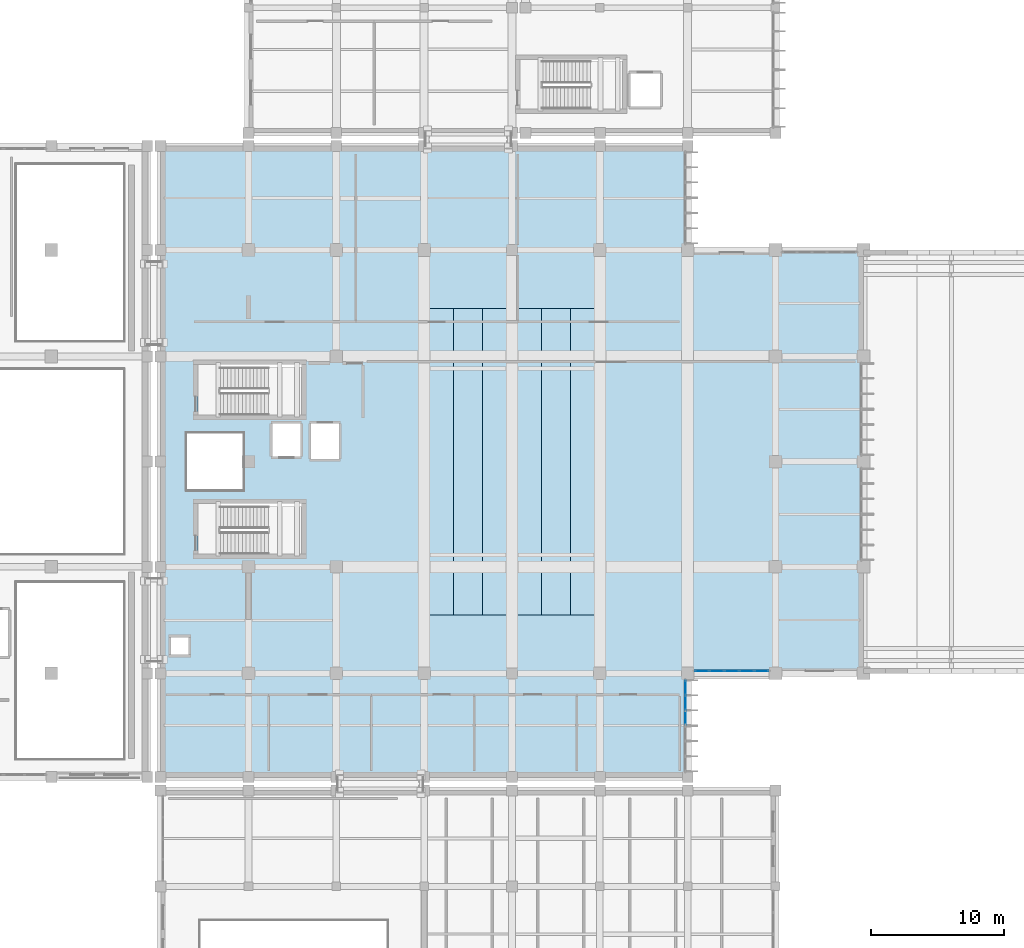
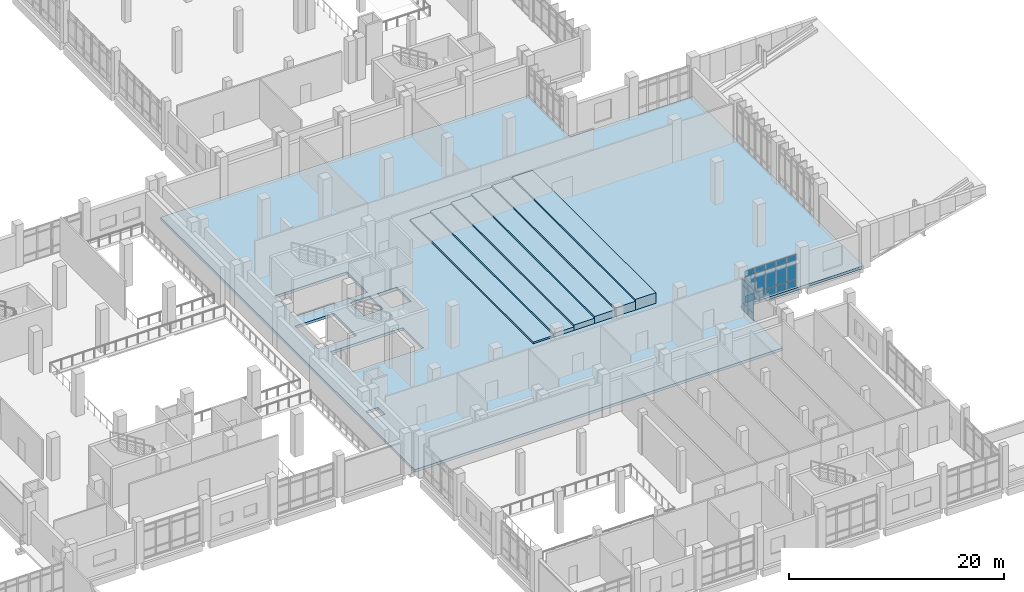
# One storey, part 53 of 90: 22 plates, 7 slabs, 2 elements without a shape of their own.
"""IFC4 building model written with IfcOpenShell, lengths in metres."""

from ifc_helpers import new_model, si_unit, direction, frame, origin, origin_2d, place, context, subcontext, project, spatial, polyline, rectangle, outline, extrude, material, layer, layer_set, type_object, element, aggregate, save


model = new_model("IFC4")

# Units and contexts
model_context = context("Model", 3, precision=1e-05, world=origin(), true_north=direction((0.0, 1.0)))
body_context = subcontext(model_context, "Body", "Model", "MODEL_VIEW")
ifc_project = project(units=[si_unit("LENGTHUNIT", "METRE"), si_unit("AREAUNIT", "SQUARE_METRE"), si_unit("VOLUMEUNIT", "CUBIC_METRE"), si_unit("PLANEANGLEUNIT", "RADIAN"), si_unit("MASSUNIT", "GRAM", prefix="KILO")], contexts=[model_context])

# Site, building, storey
site_placement = place(None, origin())
site = spatial("IfcSite", under=ifc_project, at=site_placement, CompositionType="ELEMENT")
building_placement = place(site_placement, origin())
building = spatial("IfcBuilding", under=site, at=building_placement, Name="Kelarvand Opera House", CompositionType="ELEMENT")
storey_placement = place(building_placement, frame((0.0, 0.0, 5.39990234375)))
storey = spatial("IfcBuildingStorey", under=building, at=storey_placement, Name="L01", CompositionType="ELEMENT", Elevation=5.39990234375)

# Curtain wall, plates
ifc_material_1 = material(Name="Thermally broken aluminium and low-E glazing", Category="aluminium")
ifc_layer_1 = layer(ifc_material_1, 0.219970703125, Name="Thermally broken aluminium and low-E glazing", Category="aluminium")
ifc_layer_set_1 = layer_set([ifc_layer_1], Name="Thermally broken aluminium and low-E glazing")
curtain_wall_type_1 = type_object("IfcCurtainWallType", Name="Unitised Low-E Curtain Wall 5630x3780 Mod 1150 CWF-03", PredefinedType="USERDEFINED", material=ifc_layer_set_1)
curtain_wall_1_placement = place(storey_placement, origin())
curtain_wall_1 = element("IfcCurtainWall", 1, at=curtain_wall_1_placement, inside=storey, type_object=curtain_wall_type_1, Name="V1 L01 Curtain Wall CWF-03 (12)", ObjectType="UNITISED CURTAIN WALL", PredefinedType="USERDEFINED")
ifc_material_2 = material(Name="Acoustic triple-laminated low-E glazing", Category="glass")
ifc_layer_2 = layer(ifc_material_2, 0.0400390625, Name="Acoustic triple-laminated low-E glazing", Category="glass")
ifc_layer_set_2 = layer_set([ifc_layer_2], Name="Acoustic triple-laminated low-E glazing")
plate_type = type_object("IfcPlateType", Name="Acoustic Laminated Plaza Curtain Panel 40mm", PredefinedType="CURTAIN_PANEL", material=ifc_layer_set_2)
plate_1_placement = place(storey_placement, frame((134.13330078125, 46.780029296875, 0.074951171875), z_axis=(0.0, 0.0, 1.0), x_axis=(-1.0, 0.0, 0.0)))
plate_1 = element("IfcPlate", 2, at=plate_1_placement, type_object=plate_type, Name="CWF-03 panel 1.1", PredefinedType="CURTAIN_PANEL", context=body_context, shape_type="SweptSolid", body=[
    extrude(rectangle(XDim=1.013427734375, YDim=0.0400390625, at=origin_2d()), origin(), (0.0, 0.0, 1.0), 0.78759765625),
])
plate_2_placement = place(storey_placement, frame((134.13330078125, 46.780029296875, 0.9375), z_axis=(0.0, 0.0, 1.0), x_axis=(-1.0, 0.0, 0.0)))
plate_2 = element("IfcPlate", 3, at=plate_2_placement, type_object=plate_type, Name="CWF-03 panel 1.2", PredefinedType="CURTAIN_PANEL", context=body_context, shape_type="SweptSolid", body=[
    extrude(rectangle(XDim=1.013427734375, YDim=0.0400390625, at=origin_2d()), origin(), (0.0, 0.0, 1.0), 2.10498046875),
])
plate_3_placement = place(storey_placement, frame((134.13330078125, 46.780029296875, 3.11767578125), z_axis=(0.0, 0.0, 1.0), x_axis=(-1.0, 0.0, 0.0)))
plate_3 = element("IfcPlate", 4, at=plate_3_placement, type_object=plate_type, Name="CWF-03 panel 1.3", PredefinedType="CURTAIN_PANEL", context=body_context, shape_type="SweptSolid", body=[
    extrude(rectangle(XDim=1.013427734375, YDim=0.0400390625, at=origin_2d()), origin(), (0.0, 0.0, 1.0), 0.58740234375),
])
plate_4_placement = place(storey_placement, frame((133.02587890625, 46.780029296875, 0.074951171875), z_axis=(0.0, 0.0, 1.0), x_axis=(-1.0, 0.0, 0.0)))
plate_4 = element("IfcPlate", 5, at=plate_4_placement, type_object=plate_type, Name="CWF-03 panel 2.1", PredefinedType="CURTAIN_PANEL", context=body_context, shape_type="SweptSolid", body=[
    extrude(rectangle(XDim=1.051025390625, YDim=0.0400390625, at=origin_2d()), origin(), (0.0, 0.0, 1.0), 0.78759765625),
])
plate_5_placement = place(storey_placement, frame((133.02587890625, 46.780029296875, 0.9375), z_axis=(0.0, 0.0, 1.0), x_axis=(-1.0, 0.0, 0.0)))
plate_5 = element("IfcPlate", 6, at=plate_5_placement, type_object=plate_type, Name="CWF-03 panel 2.2", PredefinedType="CURTAIN_PANEL", context=body_context, shape_type="SweptSolid", body=[
    extrude(rectangle(XDim=1.051025390625, YDim=0.0400390625, at=origin_2d()), origin(), (0.0, 0.0, 1.0), 2.10498046875),
])
plate_6_placement = place(storey_placement, frame((133.02587890625, 46.780029296875, 3.11767578125), z_axis=(0.0, 0.0, 1.0), x_axis=(-1.0, 0.0, 0.0)))
plate_6 = element("IfcPlate", 7, at=plate_6_placement, type_object=plate_type, Name="CWF-03 panel 2.3", PredefinedType="CURTAIN_PANEL", context=body_context, shape_type="SweptSolid", body=[
    extrude(rectangle(XDim=1.051025390625, YDim=0.0400390625, at=origin_2d()), origin(), (0.0, 0.0, 1.0), 0.58740234375),
])
plate_7_placement = place(storey_placement, frame((131.89990234375, 46.780029296875, 0.074951171875), z_axis=(0.0, 0.0, 1.0), x_axis=(-1.0, 0.0, 0.0)))
plate_7 = element("IfcPlate", 8, at=plate_7_placement, type_object=plate_type, Name="CWF-03 panel 3.1", PredefinedType="CURTAIN_PANEL", context=body_context, shape_type="SweptSolid", body=[
    extrude(rectangle(XDim=1.051025390625, YDim=0.0400390625, at=origin_2d()), origin(), (0.0, 0.0, 1.0), 0.78759765625),
])
plate_8_placement = place(storey_placement, frame((131.89990234375, 46.780029296875, 0.9375), z_axis=(0.0, 0.0, 1.0), x_axis=(-1.0, 0.0, 0.0)))
plate_8 = element("IfcPlate", 9, at=plate_8_placement, type_object=plate_type, Name="CWF-03 panel 3.2", PredefinedType="CURTAIN_PANEL", context=body_context, shape_type="SweptSolid", body=[
    extrude(rectangle(XDim=1.051025390625, YDim=0.0400390625, at=origin_2d()), origin(), (0.0, 0.0, 1.0), 2.10498046875),
])
plate_9_placement = place(storey_placement, frame((131.89990234375, 46.780029296875, 3.11767578125), z_axis=(0.0, 0.0, 1.0), x_axis=(-1.0, 0.0, 0.0)))
plate_9 = element("IfcPlate", 10, at=plate_9_placement, type_object=plate_type, Name="CWF-03 panel 3.3", PredefinedType="CURTAIN_PANEL", context=body_context, shape_type="SweptSolid", body=[
    extrude(rectangle(XDim=1.051025390625, YDim=0.0400390625, at=origin_2d()), origin(), (0.0, 0.0, 1.0), 0.58740234375),
])
plate_10_placement = place(storey_placement, frame((130.77392578125, 46.780029296875, 0.074951171875), z_axis=(0.0, 0.0, 1.0), x_axis=(-1.0, 0.0, 0.0)))
plate_10 = element("IfcPlate", 11, at=plate_10_placement, type_object=plate_type, Name="CWF-03 panel 4.1", PredefinedType="CURTAIN_PANEL", context=body_context, shape_type="SweptSolid", body=[
    extrude(rectangle(XDim=1.051025390625, YDim=0.0400390625, at=origin_2d()), origin(), (0.0, 0.0, 1.0), 0.78759765625),
])
plate_11_placement = place(storey_placement, frame((130.77392578125, 46.780029296875, 0.9375), z_axis=(0.0, 0.0, 1.0), x_axis=(-1.0, 0.0, 0.0)))
plate_11 = element("IfcPlate", 12, at=plate_11_placement, type_object=plate_type, Name="CWF-03 panel 4.2", PredefinedType="CURTAIN_PANEL", context=body_context, shape_type="SweptSolid", body=[
    extrude(rectangle(XDim=1.051025390625, YDim=0.0400390625, at=origin_2d()), origin(), (0.0, 0.0, 1.0), 2.10498046875),
])
plate_12_placement = place(storey_placement, frame((130.77392578125, 46.780029296875, 3.11767578125), z_axis=(0.0, 0.0, 1.0), x_axis=(-1.0, 0.0, 0.0)))
plate_12 = element("IfcPlate", 13, at=plate_12_placement, type_object=plate_type, Name="CWF-03 panel 4.3", PredefinedType="CURTAIN_PANEL", context=body_context, shape_type="SweptSolid", body=[
    extrude(rectangle(XDim=1.051025390625, YDim=0.0400390625, at=origin_2d()), origin(), (0.0, 0.0, 1.0), 0.58740234375),
])
plate_13_placement = place(storey_placement, frame((129.666748046875, 46.780029296875, 0.074951171875), z_axis=(0.0, 0.0, 1.0), x_axis=(-1.0, 0.0, 0.0)))
plate_13 = element("IfcPlate", 14, at=plate_13_placement, type_object=plate_type, Name="CWF-03 panel 5.1", PredefinedType="CURTAIN_PANEL", context=body_context, shape_type="SweptSolid", body=[
    extrude(rectangle(XDim=1.013427734375, YDim=0.0400390625, at=origin_2d()), origin(), (0.0, 0.0, 1.0), 0.78759765625),
])
plate_14_placement = place(storey_placement, frame((129.666748046875, 46.780029296875, 0.9375), z_axis=(0.0, 0.0, 1.0), x_axis=(-1.0, 0.0, 0.0)))
plate_14 = element("IfcPlate", 15, at=plate_14_placement, type_object=plate_type, Name="CWF-03 panel 5.2", PredefinedType="CURTAIN_PANEL", context=body_context, shape_type="SweptSolid", body=[
    extrude(rectangle(XDim=1.013427734375, YDim=0.0400390625, at=origin_2d()), origin(), (0.0, 0.0, 1.0), 2.10498046875),
])
plate_15_placement = place(storey_placement, frame((129.666748046875, 46.780029296875, 3.11767578125), z_axis=(0.0, 0.0, 1.0), x_axis=(-1.0, 0.0, 0.0)))
plate_15 = element("IfcPlate", 16, at=plate_15_placement, type_object=plate_type, Name="CWF-03 panel 5.3", PredefinedType="CURTAIN_PANEL", context=body_context, shape_type="SweptSolid", body=[
    extrude(rectangle(XDim=1.013427734375, YDim=0.0400390625, at=origin_2d()), origin(), (0.0, 0.0, 1.0), 0.58740234375),
])
aggregate(curtain_wall_1, [plate_1, plate_2, plate_3, plate_4, plate_5, plate_6, plate_7, plate_8, plate_9, plate_10, plate_11, plate_12, plate_13, plate_14, plate_15])

ifc_layer_3 = layer(ifc_material_1, 0.219970703125, Name="Thermally broken aluminium and low-E glazing", Category="aluminium")
ifc_layer_set_3 = layer_set([ifc_layer_3], Name="Thermally broken aluminium and low-E glazing")
curtain_wall_type_2 = type_object("IfcCurtainWallType", Name="Unitised Low-E Curtain Wall 3444x3630 Mod 1150 CWF-02", PredefinedType="USERDEFINED", material=ifc_layer_set_3)
curtain_wall_2_placement = place(storey_placement, origin())
curtain_wall_2 = element("IfcCurtainWall", 17, at=curtain_wall_2_placement, inside=storey, type_object=curtain_wall_type_2, Name="V1 L01 Curtain Wall CWF-02 (13)", ObjectType="UNITISED CURTAIN WALL", PredefinedType="USERDEFINED")
plate_16_placement = place(storey_placement, frame((128.419921875, 45.522216796875, 0.074951171875), z_axis=(0.0, 0.0, 1.0), x_axis=(0.0, -1.0, 0.0)))
plate_16 = element("IfcPlate", 18, at=plate_16_placement, type_object=plate_type, Name="CWF-02 panel 1.1", PredefinedType="CURTAIN_PANEL", context=body_context, shape_type="SweptSolid", body=[
    extrude(rectangle(XDim=1.035400390625, YDim=0.0400390625, at=origin_2d()), origin(), (0.0, 0.0, 1.0), 0.78759765625),
])
plate_17_placement = place(storey_placement, frame((128.419921875, 45.522216796875, 0.9375), z_axis=(0.0, 0.0, 1.0), x_axis=(0.0, -1.0, 0.0)))
plate_17 = element("IfcPlate", 19, at=plate_17_placement, type_object=plate_type, Name="CWF-02 panel 1.2", PredefinedType="CURTAIN_PANEL", context=body_context, shape_type="SweptSolid", body=[
    extrude(rectangle(XDim=1.035400390625, YDim=0.0400390625, at=origin_2d()), origin(), (0.0, 0.0, 1.0), 1.955078125),
])
plate_18_placement = place(storey_placement, frame((128.419921875, 45.522216796875, 2.967529296875), z_axis=(0.0, 0.0, 1.0), x_axis=(0.0, -1.0, 0.0)))
plate_18 = element("IfcPlate", 20, at=plate_18_placement, type_object=plate_type, Name="CWF-02 panel 1.3", PredefinedType="CURTAIN_PANEL", context=body_context, shape_type="SweptSolid", body=[
    extrude(rectangle(XDim=1.035400390625, YDim=0.0400390625, at=origin_2d()), origin(), (0.0, 0.0, 1.0), 0.58740234375),
])
plate_19_placement = place(storey_placement, frame((128.419921875, 44.393310546875, 0.074951171875), z_axis=(0.0, 0.0, 1.0), x_axis=(0.0, -1.0, 0.0)))
plate_19 = element("IfcPlate", 21, at=plate_19_placement, type_object=plate_type, Name="CWF-02 panel 2.1", PredefinedType="CURTAIN_PANEL", context=body_context, shape_type="SweptSolid", body=[
    extrude(rectangle(XDim=1.07275390625, YDim=0.0400390625, at=origin_2d()), origin(), (0.0, 0.0, 1.0), 0.78759765625),
])
plate_20_placement = place(storey_placement, frame((128.419921875, 44.393310546875, 0.9375), z_axis=(0.0, 0.0, 1.0), x_axis=(0.0, -1.0, 0.0)))
plate_20 = element("IfcPlate", 22, at=plate_20_placement, type_object=plate_type, Name="CWF-02 panel 2.2", PredefinedType="CURTAIN_PANEL", context=body_context, shape_type="SweptSolid", body=[
    extrude(rectangle(XDim=1.07275390625, YDim=0.0400390625, at=origin_2d()), origin(), (0.0, 0.0, 1.0), 1.955078125),
])
plate_21_placement = place(storey_placement, frame((128.419921875, 44.393310546875, 2.967529296875), z_axis=(0.0, 0.0, 1.0), x_axis=(0.0, -1.0, 0.0)))
plate_21 = element("IfcPlate", 23, at=plate_21_placement, type_object=plate_type, Name="CWF-02 panel 2.3", PredefinedType="CURTAIN_PANEL", context=body_context, shape_type="SweptSolid", body=[
    extrude(rectangle(XDim=1.07275390625, YDim=0.0400390625, at=origin_2d()), origin(), (0.0, 0.0, 1.0), 0.58740234375),
])
plate_22_placement = place(storey_placement, frame((128.419921875, 43.26416015625, 2.967529296875), z_axis=(0.0, 0.0, 1.0), x_axis=(0.0, -1.0, 0.0)))
plate_22 = element("IfcPlate", 24, at=plate_22_placement, type_object=plate_type, Name="CWF-02 panel 3.3", PredefinedType="CURTAIN_PANEL", context=body_context, shape_type="SweptSolid", body=[
    extrude(rectangle(XDim=1.035400390625, YDim=0.0400390625, at=origin_2d()), origin(), (0.0, 0.0, 1.0), 0.58740234375),
])
aggregate(curtain_wall_2, [plate_16, plate_17, plate_18, plate_19, plate_20, plate_21, plate_22])

# Slabs
ifc_material_3 = material(Name="Precast concrete C40/50", Category="concrete")
ifc_layer_4 = layer(ifc_material_3, 0.199951171875, Name="Precast concrete C40/50", Category="concrete")
ifc_layer_set_4 = layer_set([ifc_layer_4], Name="Precast concrete C40/50")
slab_type_1 = type_object("IfcSlabType", Name="Precast Stepped Seating Tier 200", PredefinedType="USERDEFINED", material=ifc_layer_set_4)
slab_1_placement = place(storey_placement, origin())
element("IfcSlab", 25, at=slab_1_placement, inside=storey, type_object=slab_type_1, Name="V1 Stepped Seating Tier 1", ObjectType="SEATING TIER", PredefinedType="USERDEFINED", context=body_context, shape_type="SweptSolid", body=[
    extrude(outline(polyline([(108.800048828125, 51.0), (111.0, 51.0), (111.0, 74.0), (108.800048828125, 74.0), (108.800048828125, 51.0)])), origin(), (0.0, 0.0, 1.0), 0.2001953125),
])
slab_2_placement = place(storey_placement, origin())
element("IfcSlab", 26, at=slab_2_placement, inside=storey, type_object=slab_type_1, Name="V1 Stepped Seating Tier 2", ObjectType="SEATING TIER", PredefinedType="USERDEFINED", context=body_context, shape_type="SweptSolid", body=[
    extrude(outline(polyline([(111.0, 51.0), (113.199951171875, 51.0), (113.199951171875, 74.0), (111.0, 74.0), (111.0, 51.0)])), origin(), (0.0, 0.0, 1.0), 0.400146484375),
])
slab_3_placement = place(storey_placement, origin())
element("IfcSlab", 27, at=slab_3_placement, inside=storey, type_object=slab_type_1, Name="V1 Stepped Seating Tier 3", ObjectType="SEATING TIER", PredefinedType="USERDEFINED", context=body_context, shape_type="SweptSolid", body=[
    extrude(outline(polyline([(113.199951171875, 51.0), (115.39990234375, 51.0), (115.39990234375, 74.0), (113.199951171875, 74.0), (113.199951171875, 51.0)])), origin(), (0.0, 0.0, 1.0), 0.60009765625),
])
slab_4_placement = place(storey_placement, origin())
element("IfcSlab", 28, at=slab_4_placement, inside=storey, type_object=slab_type_1, Name="V1 Stepped Seating Tier 4", ObjectType="SEATING TIER", PredefinedType="USERDEFINED", context=body_context, shape_type="SweptSolid", body=[
    extrude(outline(polyline([(115.39990234375, 51.0), (117.60009765625, 51.0), (117.60009765625, 74.0), (115.39990234375, 74.0), (115.39990234375, 51.0)])), origin(), (0.0, 0.0, 1.0), 0.800048828125),
])
slab_5_placement = place(storey_placement, origin())
element("IfcSlab", 29, at=slab_5_placement, inside=storey, type_object=slab_type_1, Name="V1 Stepped Seating Tier 5", ObjectType="SEATING TIER", PredefinedType="USERDEFINED", context=body_context, shape_type="SweptSolid", body=[
    extrude(outline(polyline([(117.60009765625, 51.0), (119.800048828125, 51.0), (119.800048828125, 74.0), (117.60009765625, 74.0), (117.60009765625, 51.0)])), origin(), (0.0, 0.0, 1.0), 1.0),
])
slab_6_placement = place(storey_placement, origin())
element("IfcSlab", 30, at=slab_6_placement, inside=storey, type_object=slab_type_1, Name="V1 Stepped Seating Tier 6", ObjectType="SEATING TIER", PredefinedType="USERDEFINED", context=body_context, shape_type="SweptSolid", body=[
    extrude(outline(polyline([(119.800048828125, 51.0), (122.0, 51.0), (122.0, 74.0), (119.800048828125, 74.0), (119.800048828125, 51.0)])), origin(), (0.0, 0.0, 1.0), 1.2001953125),
])
ifc_material_4 = material(Name="Concrete C35/45", Category="concrete")
ifc_layer_5 = layer(ifc_material_4, 0.300048828125, Name="Concrete C35/45", Category="concrete")
ifc_layer_set_5 = layer_set([ifc_layer_5], Name="Concrete C35/45")
slab_type_2 = type_object("IfcSlabType", Name="Suspended Floor Slab 300", PredefinedType="FLOOR", material=ifc_layer_set_5)
slab_7_placement = place(storey_placement, frame((0.0, 0.0, -0.2998046875)))
element("IfcSlab", 31, at=slab_7_placement, inside=storey, type_object=slab_type_2, Name="V1 L01 Structural Slab 4", PredefinedType="FLOOR", context=body_context, shape_type="SweptSolid", body=[
    extrude(outline(polyline([(128.60009765625, 38.800048828125), (89.0, 38.800048828125), (89.0, 46.60009765625), (89.0, 78.39990234375), (89.0, 86.199951171875), (128.60009765625, 86.199951171875), (128.60009765625, 78.39990234375), (141.800048828125, 78.39990234375), (141.800048828125, 46.60009765625), (128.60009765625, 46.60009765625), (128.60009765625, 38.800048828125)]), holes=[polyline([(89.800048828125, 49.300048828125), (91.10009765625, 49.300048828125), (91.10009765625, 48.0), (89.800048828125, 48.0), (89.800048828125, 49.300048828125)]), polyline([(99.60009765625, 59.35009765625), (99.60009765625, 55.550048828125), (91.800048828125, 55.550048828125), (91.800048828125, 59.35009765625), (99.60009765625, 59.35009765625)]), polyline([(95.199951171875, 64.60009765625), (95.199951171875, 60.39990234375), (91.0, 60.39990234375), (91.0, 64.60009765625), (95.199951171875, 64.60009765625)]), polyline([(100.300048828125, 65.35009765625), (102.39990234375, 65.35009765625), (102.39990234375, 62.699951171875), (100.300048828125, 62.699951171875), (100.300048828125, 65.35009765625)]), polyline([(99.5, 65.35009765625), (99.5, 62.89990234375), (97.39990234375, 62.89990234375), (97.39990234375, 65.35009765625), (99.5, 65.35009765625)]), polyline([(99.60009765625, 69.800048828125), (99.60009765625, 66.0), (91.800048828125, 66.0), (91.800048828125, 69.800048828125), (99.60009765625, 69.800048828125)])]), origin(), (0.0, 0.0, 1.0), 0.2998046875),
])

save(model, "model.ifc")
